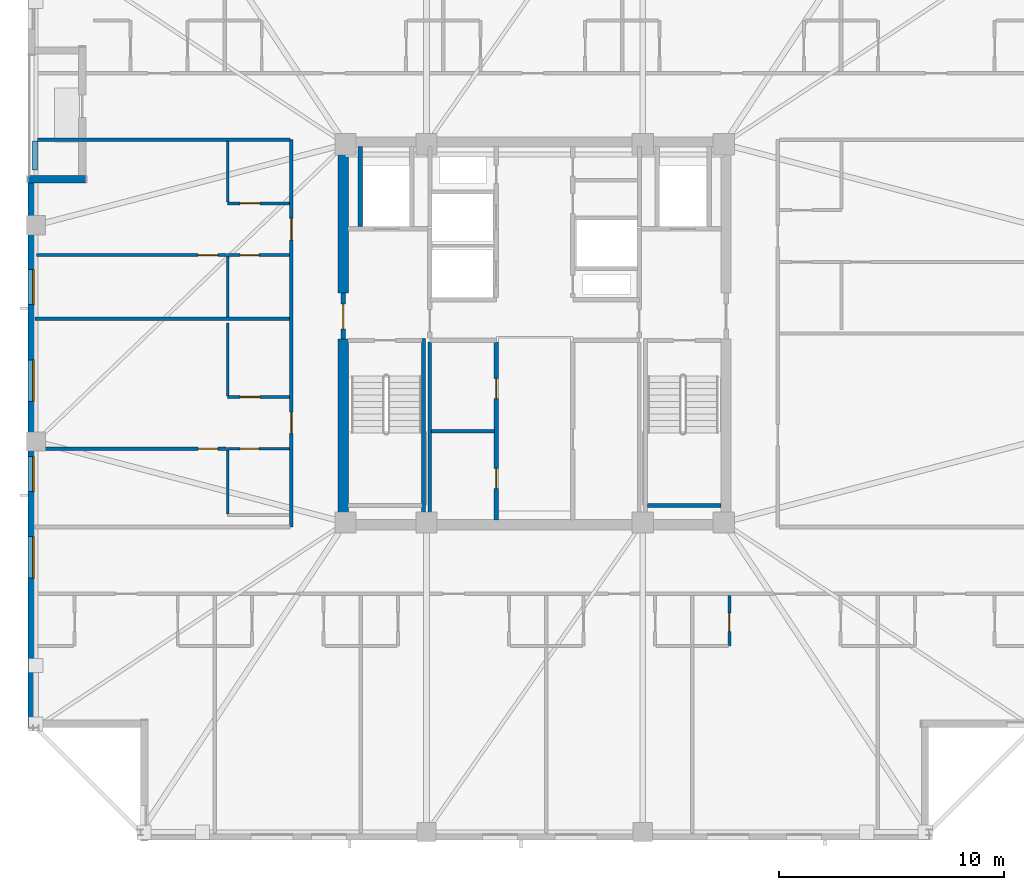
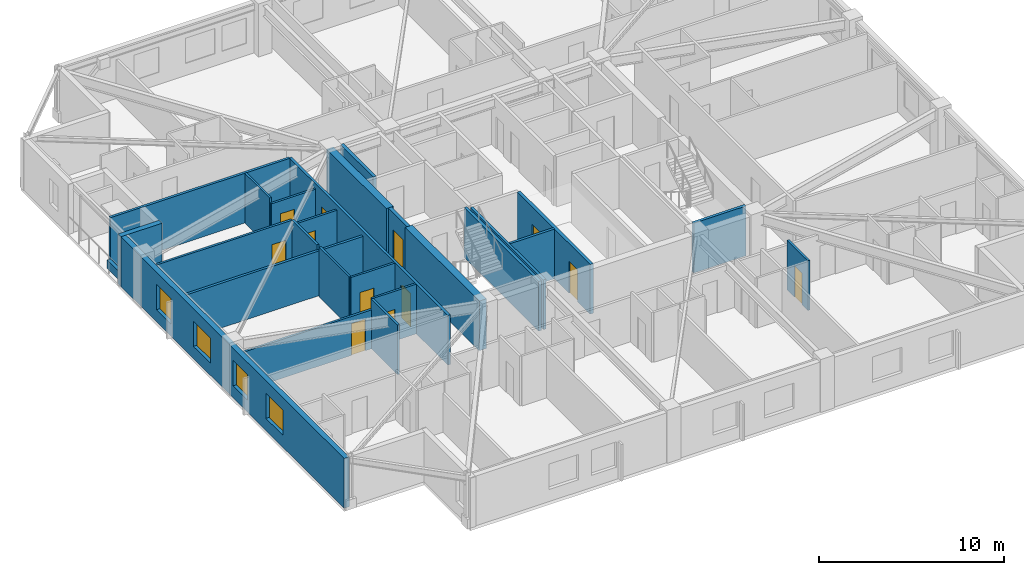
# One storey, part 8 of 17: 26 walls, 12 doors, 4 windows, 16 openings.
"""IFC4 building model written with IfcOpenShell, lengths in metres."""

from ifc_helpers import new_model, si_unit, direction, frame, frame_2d, origin, place, context, subcontext, project, spatial, rectangle, extrude, material, layer, layer_set, type_object, element, fill, save


model = new_model("IFC4")

# Units and contexts
model_context = context("Model", 3, precision=1e-05, world=origin(), true_north=direction((0.0, 1.0)))
body_context = subcontext(model_context, "Body", "Model", "MODEL_VIEW")
ifc_project = project(units=[si_unit("LENGTHUNIT", "METRE"), si_unit("AREAUNIT", "SQUARE_METRE"), si_unit("VOLUMEUNIT", "CUBIC_METRE"), si_unit("PLANEANGLEUNIT", "RADIAN"), si_unit("MASSUNIT", "GRAM", prefix="KILO")], contexts=[model_context])

# Site, building, storey
site_placement = place(None, origin())
site = spatial("IfcSite", under=ifc_project, at=site_placement, CompositionType="ELEMENT")
building_placement = place(site_placement, origin())
building = spatial("IfcBuilding", under=site, at=building_placement, Name="Cairnveth Concourse Tower", CompositionType="ELEMENT")
storey_placement = place(building_placement, frame((0.0, 0.0, 234.0)))
storey = spatial("IfcBuildingStorey", under=building, at=storey_placement, Name="L64", CompositionType="ELEMENT", Elevation=234.0)

# Walls
ifc_material_1 = material(Name="Gypsum Plasterboard Partition", Category="gypsum")
ifc_layer_1 = layer(ifc_material_1, 0.159912109375)
ifc_layer_set_1 = layer_set([ifc_layer_1], Name="Gypsum Plasterboard Partition")
wall_type_1 = type_object("IfcWallType", Name="ACOUSTIC PARTY WALL 180", PredefinedType="PARTITIONING", material=ifc_layer_set_1)
wall_1_placement = place(storey_placement, frame((47.35009765625, 30.7099609375, 0.0), z_axis=(0.0, 0.0, 1.0), x_axis=(0.0, 1.0, 0.0)))
element("IfcWall", 1, at=wall_1_placement, inside=storey, type_object=wall_type_1, Name="Interior Wall IW-L64-025", PredefinedType="PARTITIONING", context=body_context, shape_type="SweptSolid", body=[
    extrude(rectangle(XDim=7.905029296875, YDim=0.159912109375, at=frame_2d((3.95263671875, 0.0))), origin(), (0.0, 0.0, 1.0), 3.2900390625),
])
wall_2_placement = place(storey_placement, frame((47.4150390625, 34.64990234375, 0.0), z_axis=(0.0, 0.0, 1.0), x_axis=(1.0, 0.0, 0.0)))
element("IfcWall", 2, at=wall_2_placement, inside=storey, type_object=wall_type_1, Name="Interior Wall IW-L64-026", PredefinedType="PARTITIONING", context=body_context, shape_type="SweptSolid", body=[
    extrude(rectangle(XDim=2.800048828125, YDim=0.159912109375, at=frame_2d((1.39990234375, 0.0))), origin(), (0.0, 0.0, 1.0), 3.2900390625),
])

# Wall, openings, doors
wall_3_placement = place(storey_placement, frame((41.199951171875, 30.39990234375, 0.0), z_axis=(0.0, 0.0, 1.0), x_axis=(0.0, 1.0, 0.0)))
wall_3 = element("IfcWall", 3, at=wall_3_placement, inside=storey, type_object=wall_type_1, Name="Interior Wall IW-L64-037", PredefinedType="PARTITIONING", context=body_context, shape_type="SweptSolid", body=[
    extrude(rectangle(XDim=17.2001953125, YDim=0.159912109375, at=frame_2d((8.60009765625, 0.0))), origin(), (0.0, 0.0, 1.0), 3.2900390625),
])
opening_1_placement = place(wall_3_placement, frame((4.14501953125, 0.0, 0.0)))
opening_1 = element("IfcOpeningElement", 4, at=opening_1_placement, cuts=wall_3, Name="Opening ID10", PredefinedType="OPENING", context=body_context, shape_type="SweptSolid", body=[
    extrude(rectangle(XDim=0.9599609375, YDim=2.179931640625, at=frame_2d((0.47998046875, 1.08984375))), frame((0.0, 0.08984375, 0.0), z_axis=(0.0, -1.0, 0.0), x_axis=(1.0, 0.0, 0.0)), (0.0, 0.0, 1.0), 0.179931640625),
])
opening_2_placement = place(wall_3_placement, frame((12.7451171875, 0.0, 0.0)))
opening_2 = element("IfcOpeningElement", 5, at=opening_2_placement, cuts=wall_3, Name="Opening ID10", PredefinedType="OPENING", context=body_context, shape_type="SweptSolid", body=[
    extrude(rectangle(XDim=0.9599609375, YDim=2.179931640625, at=frame_2d((0.47998046875, 1.08984375))), frame((0.0, 0.08984375, 0.0), z_axis=(0.0, -1.0, 0.0), x_axis=(1.0, 0.0, 0.0)), (0.0, 0.0, 1.0), 0.179931640625),
])
ifc_material_2 = material(Name="Solid Core Hardwood Timber Leaf", Category="wood")
door_type_1 = type_object("IfcDoorType", Name="FLAT ENTRANCE DOOR 960X2150", OperationType="NOTDEFINED", PredefinedType="DOOR", material=ifc_material_2)
door_1_placement = place(opening_1_placement, origin())
door_1 = element("IfcDoor", 6, at=door_1_placement, inside=storey, type_object=door_type_1, Name="Apartment L64W1 Entrance Door", OperationType="SINGLE_SWING_RIGHT", OverallHeight=2.179931640625, OverallWidth=0.9599609375, PredefinedType="DOOR", context=body_context, shape_type="SweptSolid", body=[
    extrude(rectangle(XDim=0.9599609375, YDim=2.179931640625, at=frame_2d((0.47998046875, 1.08984375))), frame((0.0, 0.02490234375, 0.0), z_axis=(0.0, -1.0, 0.0), x_axis=(1.0, 0.0, 0.0)), (0.0, 0.0, 1.0), 0.050048828125),
])
fill(opening_1, door_1)
door_2_placement = place(opening_2_placement, origin())
door_2 = element("IfcDoor", 7, at=door_2_placement, inside=storey, type_object=door_type_1, Name="Apartment L64W2 Entrance Door", OperationType="SINGLE_SWING_RIGHT", OverallHeight=2.179931640625, OverallWidth=0.9599609375, PredefinedType="DOOR", context=body_context, shape_type="SweptSolid", body=[
    extrude(rectangle(XDim=0.9599609375, YDim=2.179931640625, at=frame_2d((0.47998046875, 1.08984375))), frame((0.0, 0.02490234375, 0.0), z_axis=(0.0, -1.0, 0.0), x_axis=(1.0, 0.0, 0.0)), (0.0, 0.0, 1.0), 0.050048828125),
])
fill(opening_2, door_2)

# Walls
wall_4_placement = place(storey_placement, frame((29.9150390625, 47.60009765625, 0.0), z_axis=(0.0, 0.0, 1.0), x_axis=(1.0, 0.0, 0.0)))
element("IfcWall", 8, at=wall_4_placement, inside=storey, type_object=wall_type_1, Name="Interior Wall IW-L64-040", PredefinedType="PARTITIONING", context=body_context, shape_type="SweptSolid", body=[
    extrude(rectangle(XDim=11.219970703125, YDim=0.159912109375, at=frame_2d((5.60986328125, 0.0))), origin(), (0.0, 0.0, 1.0), 3.2900390625),
])
wall_5_placement = place(storey_placement, frame((29.804931640625, 39.64990234375, 0.0), z_axis=(0.0, 0.0, 1.0), x_axis=(1.0, 0.0, 0.0)))
element("IfcWall", 9, at=wall_5_placement, inside=storey, type_object=wall_type_1, Name="Interior Wall IW-L64-096", PredefinedType="PARTITIONING", context=body_context, shape_type="SweptSolid", body=[
    extrude(rectangle(XDim=11.315185546875, YDim=0.159912109375, at=frame_2d((5.65771484375, 0.0))), origin(), (0.0, 0.0, 1.0), 2.9580078125),
])
ifc_material_3 = material(Name="Concrete N65 (65 MPa)", Category="concrete")
ifc_layer_2 = layer(ifc_material_3, 0.449951171875)
ifc_layer_set_2 = layer_set([ifc_layer_2], Name="Concrete N65 (65 MPa)")
wall_type_2 = type_object("IfcWallType", Name="CORE SHEAR WALL 450", PredefinedType="SHEAR", material=ifc_layer_set_2)
wall_6_placement = place(storey_placement, frame((43.5, 30.715087890625, 0.0), z_axis=(0.0, 0.0, 1.0), x_axis=(0.0, 1.0, 0.0)))
element("IfcWall", 10, at=wall_6_placement, inside=storey, type_object=wall_type_2, Name="Core West Shear Wall S L64", PredefinedType="SHEAR", context=body_context, shape_type="SweptSolid", body=[
    extrude(rectangle(XDim=8.034912109375, YDim=0.449951171875, at=frame_2d((4.017578125, 0.0))), origin(), (0.0, 0.0, 1.0), 3.2900390625),
])
wall_7_placement = place(storey_placement, frame((43.5, 40.800048828125, 0.0), z_axis=(0.0, 0.0, 1.0), x_axis=(0.0, 1.0, 0.0)))
element("IfcWall", 11, at=wall_7_placement, inside=storey, type_object=wall_type_2, Name="Core West Shear Wall N L64", PredefinedType="SHEAR", context=body_context, shape_type="SweptSolid", body=[
    extrude(rectangle(XDim=6.48486328125, YDim=0.449951171875, at=frame_2d((3.242431640625, 0.0))), origin(), (0.0, 0.0, 1.0), 3.2900390625),
])
ifc_material_4 = material(Name="Concrete N50 (50 MPa)", Category="concrete")
ifc_layer_3 = layer(ifc_material_4, 0.179931640625)
ifc_layer_set_3 = layer_set([ifc_layer_3], Name="Concrete N50 (50 MPa)")
wall_type_3 = type_object("IfcWallType", Name="FIRE SHAFT WALL 180", PredefinedType="SOLIDWALL", material=ifc_layer_set_3)
wall_8_placement = place(storey_placement, frame((47.070068359375, 38.780029296875, 0.0), z_axis=(0.0, 0.0, 1.0), x_axis=(0.0, -1.0, 0.0)))
element("IfcWall", 12, at=wall_8_placement, inside=storey, type_object=wall_type_3, Name="Stair ST-1 Shaft Wall RGHT L64", PredefinedType="SOLIDWALL", context=body_context, shape_type="SweptSolid", body=[
    extrude(rectangle(XDim=8.067138671875, YDim=0.179931640625, at=frame_2d((4.03369140625, 0.0))), origin(), (0.0, 0.0, 1.0), 3.2900390625),
])
wall_9_placement = place(storey_placement, frame((57.0048828125, 31.360107421875, 0.0), z_axis=(0.0, 0.0, 1.0), x_axis=(1.0, 0.0, 0.0)))
element("IfcWall", 13, at=wall_9_placement, inside=storey, type_object=wall_type_3, Name="Stair ST-2 Shaft Wall FAR L64", PredefinedType="SOLIDWALL", context=body_context, shape_type="SweptSolid", body=[
    extrude(rectangle(XDim=3.280029296875, YDim=0.179931640625, at=frame_2d((1.64013671875, 0.0))), origin(), (0.0, 0.0, 1.0), 3.2900390625),
])

# Wall, openings, doors
ifc_layer_4 = layer(ifc_material_4, 0.199951171875)
ifc_layer_set_4 = layer_set([ifc_layer_4], Name="Concrete N50 (50 MPa)")
wall_type_4 = type_object("IfcWallType", Name="FIRE SHAFT WALL 200", PredefinedType="SOLIDWALL", material=ifc_layer_set_4)
wall_10_placement = place(storey_placement, frame((50.300048828125, 30.7099609375, 0.0), z_axis=(0.0, 0.0, 1.0), x_axis=(0.0, 1.0, 0.0)))
wall_10 = element("IfcWall", 14, at=wall_10_placement, inside=storey, type_object=wall_type_4, Name="Interior Wall IW-L64-011", PredefinedType="SOLIDWALL", context=body_context, shape_type="SweptSolid", body=[
    extrude(rectangle(XDim=7.905029296875, YDim=0.199951171875, at=frame_2d((3.95263671875, 0.0))), origin(), (0.0, 0.0, 1.0), 3.2900390625),
])
opening_3_placement = place(wall_10_placement, frame((1.389892578125, 0.0, 0.0)))
opening_3 = element("IfcOpeningElement", 15, at=opening_3_placement, cuts=wall_10, Name="Opening ID26", PredefinedType="OPENING", context=body_context, shape_type="SweptSolid", body=[
    extrude(rectangle(XDim=0.89990234375, YDim=2.1201171875, at=frame_2d((0.449951171875, 1.06005859375))), frame((0.0, 0.10986328125, 0.0), z_axis=(0.0, -1.0, 0.0), x_axis=(1.0, 0.0, 0.0)), (0.0, 0.0, 1.0), 0.219970703125),
])
opening_4_placement = place(wall_10_placement, frame((5.389892578125, 0.0, 0.0)))
opening_4 = element("IfcOpeningElement", 16, at=opening_4_placement, cuts=wall_10, Name="Opening ID26", PredefinedType="OPENING", context=body_context, shape_type="SweptSolid", body=[
    extrude(rectangle(XDim=0.89990234375, YDim=2.1201171875, at=frame_2d((0.449951171875, 1.06005859375))), frame((0.0, 0.10986328125, 0.0), z_axis=(0.0, -1.0, 0.0), x_axis=(1.0, 0.0, 0.0)), (0.0, 0.0, 1.0), 0.219970703125),
])
ifc_material_5 = material(Name="Steel Grade 350", Category="steel")
door_type_2 = type_object("IfcDoorType", Name="CORE TOILET FIRE DOOR 900X2120", OperationType="NOTDEFINED", PredefinedType="DOOR", material=ifc_material_5)
door_3_placement = place(opening_3_placement, origin())
door_3 = element("IfcDoor", 17, at=door_3_placement, inside=storey, type_object=door_type_2, Name="Male WC Door L64", OperationType="SINGLE_SWING_LEFT", OverallHeight=2.1201171875, OverallWidth=0.89990234375, PredefinedType="DOOR", context=body_context, shape_type="SweptSolid", body=[
    extrude(rectangle(XDim=0.89990234375, YDim=2.1201171875, at=frame_2d((0.449951171875, 1.06005859375))), frame((0.0, 0.02490234375, 0.0), z_axis=(0.0, -1.0, 0.0), x_axis=(1.0, 0.0, 0.0)), (0.0, 0.0, 1.0), 0.050048828125),
])
fill(opening_3, door_3)
door_4_placement = place(opening_4_placement, origin())
door_4 = element("IfcDoor", 18, at=door_4_placement, inside=storey, type_object=door_type_2, Name="Female WC Door L64", OperationType="SINGLE_SWING_RIGHT", OverallHeight=2.1201171875, OverallWidth=0.89990234375, PredefinedType="DOOR", context=body_context, shape_type="SweptSolid", body=[
    extrude(rectangle(XDim=0.89990234375, YDim=2.1201171875, at=frame_2d((0.449951171875, 1.06005859375))), frame((0.0, 0.02490234375, 0.0), z_axis=(0.0, -1.0, 0.0), x_axis=(1.0, 0.0, 0.0)), (0.0, 0.0, 1.0), 0.050048828125),
])
fill(opening_4, door_4)

# Wall, opening, door
wall_11_placement = place(storey_placement, frame((43.5, 38.75, 0.0), z_axis=(0.0, 0.0, 1.0), x_axis=(0.0, 1.0, 0.0)))
wall_11 = element("IfcWall", 19, at=wall_11_placement, inside=storey, type_object=wall_type_4, Name="Interior Wall IW-L64-015", PredefinedType="SOLIDWALL", context=body_context, shape_type="SweptSolid", body=[
    extrude(rectangle(XDim=2.050048828125, YDim=0.199951171875, at=frame_2d((1.02490234375, 0.0))), origin(), (0.0, 0.0, 1.0), 3.2900390625),
])
opening_5_placement = place(wall_11_placement, frame((0.449951171875, 0.0, 0.0)))
opening_5 = element("IfcOpeningElement", 20, at=opening_5_placement, cuts=wall_11, Name="Opening ID06", PredefinedType="OPENING", context=body_context, shape_type="SweptSolid", body=[
    extrude(rectangle(XDim=1.10009765625, YDim=2.14990234375, at=frame_2d((0.550048828125, 1.074951171875))), frame((0.0, 0.10986328125, 0.0), z_axis=(0.0, -1.0, 0.0), x_axis=(1.0, 0.0, 0.0)), (0.0, 0.0, 1.0), 0.219970703125),
])
door_type_3 = type_object("IfcDoorType", Name="FIRE CORRIDOR DOOR 1100X2150", OperationType="NOTDEFINED", PredefinedType="DOOR", material=ifc_material_5)
door_5_placement = place(opening_5_placement, origin())
door_5 = element("IfcDoor", 21, at=door_5_placement, inside=storey, type_object=door_type_3, Name="West Wing to FF Lobby Door L64", OperationType="SINGLE_SWING_LEFT", OverallHeight=2.14990234375, OverallWidth=1.10009765625, PredefinedType="DOOR", context=body_context, shape_type="SweptSolid", body=[
    extrude(rectangle(XDim=1.10009765625, YDim=2.14990234375, at=frame_2d((0.550048828125, 1.074951171875))), frame((0.0, 0.02490234375, 0.0), z_axis=(0.0, -1.0, 0.0), x_axis=(1.0, 0.0, 0.0)), (0.0, 0.0, 1.0), 0.050048828125),
])
fill(opening_5, door_5)

# Wall
wall_12_placement = place(storey_placement, frame((44.25, 43.735107421875, 0.0), z_axis=(0.0, 0.0, 1.0), x_axis=(0.0, 1.0, 0.0)))
element("IfcWall", 22, at=wall_12_placement, inside=storey, type_object=wall_type_4, Name="Interior Wall IW-L64-019", PredefinedType="SOLIDWALL", context=body_context, shape_type="SweptSolid", body=[
    extrude(rectangle(XDim=3.554931640625, YDim=0.199951171875, at=frame_2d((1.77734375, 0.0))), origin(), (0.0, 0.0, 1.0), 3.2900390625),
])

# Wall, opening, door
ifc_layer_5 = layer(ifc_material_1, 0.139892578125)
ifc_layer_set_5 = layer_set([ifc_layer_5], Name="Gypsum Plasterboard Partition")
wall_type_5 = type_object("IfcWallType", Name="GYPSUM STUD PARTITION 140", PredefinedType="PARTITIONING", material=ifc_layer_set_5)
wall_13_placement = place(storey_placement, frame((29.8798828125, 33.875, 0.0), z_axis=(0.0, 0.0, 1.0), x_axis=(1.0, 0.0, 0.0)))
wall_13 = element("IfcWall", 23, at=wall_13_placement, inside=storey, type_object=wall_type_5, Name="Interior Wall IW-L64-102", PredefinedType="PARTITIONING", context=body_context, shape_type="SweptSolid", body=[
    extrude(rectangle(XDim=8.440185546875, YDim=0.139892578125, at=frame_2d((4.22021484375, 0.0))), origin(), (0.0, 0.0, 1.0), 2.572998046875),
])
opening_6_placement = place(wall_13_placement, frame((7.179931640625, 0.0, 0.0)))
opening_6 = element("IfcOpeningElement", 24, at=opening_6_placement, cuts=wall_13, Name="Opening ID18", PredefinedType="OPENING", context=body_context, shape_type="SweptSolid", body=[
    extrude(rectangle(XDim=0.8798828125, YDim=2.10009765625, at=frame_2d((0.43994140625, 1.050048828125))), frame((0.0, 0.079833984375, 0.0), z_axis=(0.0, -1.0, 0.0), x_axis=(1.0, 0.0, 0.0)), (0.0, 0.0, 1.0), 0.159912109375),
])
door_type_4 = type_object("IfcDoorType", Name="INTERIOR SINGLE DOOR 880X2100", OperationType="NOTDEFINED", PredefinedType="DOOR", material=ifc_material_2)
door_6_placement = place(opening_6_placement, origin())
door_6 = element("IfcDoor", 25, at=door_6_placement, inside=storey, type_object=door_type_4, Name="L64W1 Master Bedroom Door", OperationType="SINGLE_SWING_LEFT", OverallHeight=2.10009765625, OverallWidth=0.8798828125, PredefinedType="DOOR", context=body_context, shape_type="SweptSolid", body=[
    extrude(rectangle(XDim=0.8798828125, YDim=2.10009765625, at=frame_2d((0.43994140625, 1.050048828125))), frame((0.0, 0.02490234375, 0.0), z_axis=(0.0, -1.0, 0.0), x_axis=(1.0, 0.0, 0.0)), (0.0, 0.0, 1.0), 0.050048828125),
])
fill(opening_6, door_6)

wall_14_placement = place(storey_placement, frame((29.8798828125, 42.47509765625, 0.0), z_axis=(0.0, 0.0, 1.0), x_axis=(1.0, 0.0, 0.0)))
wall_14 = element("IfcWall", 26, at=wall_14_placement, inside=storey, type_object=wall_type_5, Name="Interior Wall IW-L64-107", PredefinedType="PARTITIONING", context=body_context, shape_type="SweptSolid", body=[
    extrude(rectangle(XDim=8.440185546875, YDim=0.139892578125, at=frame_2d((4.22021484375, 0.0))), origin(), (0.0, 0.0, 1.0), 3.2900390625),
])
opening_7_placement = place(wall_14_placement, frame((7.179931640625, 0.0, 0.0)))
opening_7 = element("IfcOpeningElement", 27, at=opening_7_placement, cuts=wall_14, Name="Opening ID18", PredefinedType="OPENING", context=body_context, shape_type="SweptSolid", body=[
    extrude(rectangle(XDim=0.8798828125, YDim=2.10009765625, at=frame_2d((0.43994140625, 1.050048828125))), frame((0.0, 0.079833984375, 0.0), z_axis=(0.0, -1.0, 0.0), x_axis=(1.0, 0.0, 0.0)), (0.0, 0.0, 1.0), 0.159912109375),
])
door_7_placement = place(opening_7_placement, origin())
door_7 = element("IfcDoor", 28, at=door_7_placement, inside=storey, type_object=door_type_4, Name="L64W2 Master Bedroom Door", OperationType="SINGLE_SWING_LEFT", OverallHeight=2.10009765625, OverallWidth=0.8798828125, PredefinedType="DOOR", context=body_context, shape_type="SweptSolid", body=[
    extrude(rectangle(XDim=0.8798828125, YDim=2.10009765625, at=frame_2d((0.43994140625, 1.050048828125))), frame((0.0, 0.02490234375, 0.0), z_axis=(0.0, -1.0, 0.0), x_axis=(1.0, 0.0, 0.0)), (0.0, 0.0, 1.0), 0.050048828125),
])
fill(opening_7, door_7)

# Wall
ifc_material_6 = material(Name="Dressed Melbourne Bluestone Cladding", Category="masonry")
ifc_layer_6 = layer(ifc_material_6, 0.219970703125)
ifc_layer_set_6 = layer_set([ifc_layer_6], Name="Dressed Melbourne Bluestone Cladding")
wall_type_6 = type_object("IfcWallType", Name="TERRACE PLANTER CURB WALL 220", PredefinedType="PARAPET", material=ifc_layer_set_6)
wall_15_placement = place(storey_placement, frame((29.820068359375, 46.25, 0.0), z_axis=(0.0, 0.0, 1.0), x_axis=(0.0, 1.0, 0.0)))
element("IfcWall", 29, at=wall_15_placement, inside=storey, type_object=wall_type_6, Name="Exterior Wall PLNT-L64-TERR", PredefinedType="PARAPET", context=body_context, shape_type="SweptSolid", body=[
    extrude(rectangle(XDim=1.300048828125, YDim=0.219970703125, at=frame_2d((0.64990234375, 0.0))), origin(), (0.0, 0.0, 1.0), 0.550048828125),
])

# Wall, opening, door
ifc_layer_7 = layer(ifc_material_1, 0.1298828125)
ifc_layer_set_7 = layer_set([ifc_layer_7], Name="Gypsum Plasterboard Partition")
wall_type_7 = type_object("IfcWallType", Name="WET AREA PARTITION 140", PredefinedType="PLUMBINGWALL", material=ifc_layer_set_7)
wall_16_placement = place(storey_placement, frame((60.64990234375, 25.112548828125, 0.0), z_axis=(0.0, 0.0, 1.0), x_axis=(0.0, 1.0, 0.0)))
wall_16 = element("IfcWall", 30, at=wall_16_placement, inside=storey, type_object=wall_type_7, Name="Interior Wall IW-L64-063", PredefinedType="PLUMBINGWALL", context=body_context, shape_type="SweptSolid", body=[
    extrude(rectangle(XDim=2.25, YDim=0.1298828125, at=frame_2d((1.125, 0.0))), origin(), (0.0, 0.0, 1.0), 3.2900390625),
])
opening_8_placement = place(wall_16_placement, frame((0.64990234375, 0.0, 0.0)))
opening_8 = element("IfcOpeningElement", 31, at=opening_8_placement, cuts=wall_16, Name="Opening ID22", PredefinedType="OPENING", context=body_context, shape_type="SweptSolid", body=[
    extrude(rectangle(XDim=0.820068359375, YDim=2.10009765625, at=frame_2d((0.41015625, 1.050048828125))), frame((0.0, 0.074951171875, 0.0), z_axis=(0.0, -1.0, 0.0), x_axis=(1.0, 0.0, 0.0)), (0.0, 0.0, 1.0), 0.14990234375),
])
door_type_5 = type_object("IfcDoorType", Name="INTERIOR WC DOOR 820X2100", OperationType="NOTDEFINED", PredefinedType="DOOR", material=ifc_material_2)
door_8_placement = place(opening_8_placement, origin())
door_8 = element("IfcDoor", 32, at=door_8_placement, inside=storey, type_object=door_type_5, Name="L64STS5 Bathroom Door", OperationType="SINGLE_SWING_RIGHT", OverallHeight=2.10009765625, OverallWidth=0.820068359375, PredefinedType="DOOR", context=body_context, shape_type="SweptSolid", body=[
    extrude(rectangle(XDim=0.820068359375, YDim=2.10009765625, at=frame_2d((0.41015625, 1.050048828125))), frame((0.0, 0.02490234375, 0.0), z_axis=(0.0, -1.0, 0.0), x_axis=(1.0, 0.0, 0.0)), (0.0, 0.0, 1.0), 0.050048828125),
])
fill(opening_8, door_8)

wall_17_placement = place(storey_placement, frame((38.3701171875, 33.875, 0.0), z_axis=(0.0, 0.0, 1.0), x_axis=(1.0, 0.0, 0.0)))
wall_17 = element("IfcWall", 33, at=wall_17_placement, inside=storey, type_object=wall_type_7, Name="Interior Wall IW-L64-098", PredefinedType="PLUMBINGWALL", context=body_context, shape_type="SweptSolid", body=[
    extrude(rectangle(XDim=2.75, YDim=0.1298828125, at=frame_2d((1.375, 0.0))), origin(), (0.0, 0.0, 1.0), 3.2900390625),
])
opening_9_placement = place(wall_17_placement, frame((0.550048828125, 0.0, 0.0)))
opening_9 = element("IfcOpeningElement", 34, at=opening_9_placement, cuts=wall_17, Name="Opening ID21", PredefinedType="OPENING", context=body_context, shape_type="SweptSolid", body=[
    extrude(rectangle(XDim=0.85009765625, YDim=2.080078125, at=frame_2d((0.425048828125, 1.0400390625))), frame((0.0, 0.074951171875, 0.0), z_axis=(0.0, -1.0, 0.0), x_axis=(1.0, 0.0, 0.0)), (0.0, 0.0, 1.0), 0.14990234375),
])
door_type_6 = type_object("IfcDoorType", Name="INTERIOR WC DOOR 850X2100", OperationType="NOTDEFINED", PredefinedType="DOOR", material=ifc_material_2)
door_9_placement = place(opening_9_placement, origin())
door_9 = element("IfcDoor", 35, at=door_9_placement, inside=storey, type_object=door_type_6, Name="L64W1 Bathroom Door", OperationType="SINGLE_SWING_LEFT", OverallHeight=2.080078125, OverallWidth=0.85009765625, PredefinedType="DOOR", context=body_context, shape_type="SweptSolid", body=[
    extrude(rectangle(XDim=0.85009765625, YDim=2.080078125, at=frame_2d((0.425048828125, 1.0400390625))), frame((0.0, 0.02490234375, 0.0), z_axis=(0.0, -1.0, 0.0), x_axis=(1.0, 0.0, 0.0)), (0.0, 0.0, 1.0), 0.050048828125),
])
fill(opening_9, door_9)

# Wall
wall_18_placement = place(storey_placement, frame((38.3701171875, 30.97509765625, 0.0), z_axis=(0.0, 0.0, 1.0), x_axis=(0.0, 1.0, 0.0)))
element("IfcWall", 36, at=wall_18_placement, inside=storey, type_object=wall_type_7, Name="Interior Wall IW-L64-099", PredefinedType="PLUMBINGWALL", context=body_context, shape_type="SweptSolid", body=[
    extrude(rectangle(XDim=2.849853515625, YDim=0.1298828125, at=frame_2d((1.4248046875, 0.0))), origin(), (0.0, 0.0, 1.0), 3.2900390625),
])

# Wall, opening, door
wall_19_placement = place(storey_placement, frame((38.3701171875, 36.175048828125, 0.0), z_axis=(0.0, 0.0, 1.0), x_axis=(1.0, 0.0, 0.0)))
wall_19 = element("IfcWall", 37, at=wall_19_placement, inside=storey, type_object=wall_type_7, Name="Interior Wall IW-L64-100", PredefinedType="PLUMBINGWALL", context=body_context, shape_type="SweptSolid", body=[
    extrude(rectangle(XDim=2.75, YDim=0.1298828125, at=frame_2d((1.375, 0.0))), origin(), (0.0, 0.0, 1.0), 3.2900390625),
])
opening_10_placement = place(wall_19_placement, frame((0.550048828125, 0.0, 0.0)))
opening_10 = element("IfcOpeningElement", 38, at=opening_10_placement, cuts=wall_19, Name="Opening ID18", PredefinedType="OPENING", context=body_context, shape_type="SweptSolid", body=[
    extrude(rectangle(XDim=0.8798828125, YDim=2.10009765625, at=frame_2d((0.43994140625, 1.050048828125))), frame((0.0, 0.074951171875, 0.0), z_axis=(0.0, -1.0, 0.0), x_axis=(1.0, 0.0, 0.0)), (0.0, 0.0, 1.0), 0.14990234375),
])
door_10_placement = place(opening_10_placement, origin())
door_10 = element("IfcDoor", 39, at=door_10_placement, inside=storey, type_object=door_type_4, Name="L64W1 Kitchen Door", OperationType="SINGLE_SWING_RIGHT", OverallHeight=2.10009765625, OverallWidth=0.8798828125, PredefinedType="DOOR", context=body_context, shape_type="SweptSolid", body=[
    extrude(rectangle(XDim=0.8798828125, YDim=2.10009765625, at=frame_2d((0.43994140625, 1.050048828125))), frame((0.0, 0.02490234375, 0.0), z_axis=(0.0, -1.0, 0.0), x_axis=(1.0, 0.0, 0.0)), (0.0, 0.0, 1.0), 0.050048828125),
])
fill(opening_10, door_10)

# Wall
wall_20_placement = place(storey_placement, frame((38.3701171875, 36.22509765625, 0.0), z_axis=(0.0, 0.0, 1.0), x_axis=(0.0, 1.0, 0.0)))
element("IfcWall", 40, at=wall_20_placement, inside=storey, type_object=wall_type_7, Name="Interior Wall IW-L64-101", PredefinedType="PLUMBINGWALL", context=body_context, shape_type="SweptSolid", body=[
    extrude(rectangle(XDim=3.239990234375, YDim=0.1298828125, at=frame_2d((1.6201171875, 0.0))), origin(), (0.0, 0.0, 1.0), 3.2900390625),
])

# Wall, opening, door
wall_21_placement = place(storey_placement, frame((38.3701171875, 42.47509765625, 0.0), z_axis=(0.0, 0.0, 1.0), x_axis=(1.0, 0.0, 0.0)))
wall_21 = element("IfcWall", 41, at=wall_21_placement, inside=storey, type_object=wall_type_7, Name="Interior Wall IW-L64-103", PredefinedType="PLUMBINGWALL", context=body_context, shape_type="SweptSolid", body=[
    extrude(rectangle(XDim=2.75, YDim=0.1298828125, at=frame_2d((1.375, 0.0))), origin(), (0.0, 0.0, 1.0), 2.9580078125),
])
opening_11_placement = place(wall_21_placement, frame((0.550048828125, 0.0, 0.0)))
opening_11 = element("IfcOpeningElement", 42, at=opening_11_placement, cuts=wall_21, Name="Opening ID21", PredefinedType="OPENING", context=body_context, shape_type="SweptSolid", body=[
    extrude(rectangle(XDim=0.85009765625, YDim=2.080078125, at=frame_2d((0.425048828125, 1.0400390625))), frame((0.0, 0.074951171875, 0.0), z_axis=(0.0, -1.0, 0.0), x_axis=(1.0, 0.0, 0.0)), (0.0, 0.0, 1.0), 0.14990234375),
])
door_11_placement = place(opening_11_placement, origin())
door_11 = element("IfcDoor", 43, at=door_11_placement, inside=storey, type_object=door_type_6, Name="L64W2 Bathroom Door", OperationType="SINGLE_SWING_LEFT", OverallHeight=2.080078125, OverallWidth=0.85009765625, PredefinedType="DOOR", context=body_context, shape_type="SweptSolid", body=[
    extrude(rectangle(XDim=0.85009765625, YDim=2.080078125, at=frame_2d((0.425048828125, 1.0400390625))), frame((0.0, 0.02490234375, 0.0), z_axis=(0.0, -1.0, 0.0), x_axis=(1.0, 0.0, 0.0)), (0.0, 0.0, 1.0), 0.050048828125),
])
fill(opening_11, door_11)

# Wall
wall_22_placement = place(storey_placement, frame((38.3701171875, 39.715087890625, 0.0), z_axis=(0.0, 0.0, 1.0), x_axis=(0.0, 1.0, 0.0)))
element("IfcWall", 44, at=wall_22_placement, inside=storey, type_object=wall_type_7, Name="Interior Wall IW-L64-104", PredefinedType="PLUMBINGWALL", context=body_context, shape_type="SweptSolid", body=[
    extrude(rectangle(XDim=2.7099609375, YDim=0.1298828125, at=frame_2d((1.35498046875, 0.0))), origin(), (0.0, 0.0, 1.0), 3.2900390625),
])

# Wall, opening, door
wall_23_placement = place(storey_placement, frame((38.3701171875, 44.77490234375, 0.0), z_axis=(0.0, 0.0, 1.0), x_axis=(1.0, 0.0, 0.0)))
wall_23 = element("IfcWall", 45, at=wall_23_placement, inside=storey, type_object=wall_type_7, Name="Interior Wall IW-L64-105", PredefinedType="PLUMBINGWALL", context=body_context, shape_type="SweptSolid", body=[
    extrude(rectangle(XDim=2.75, YDim=0.1298828125, at=frame_2d((1.375, 0.0))), origin(), (0.0, 0.0, 1.0), 2.9580078125),
])
opening_12_placement = place(wall_23_placement, frame((0.550048828125, 0.0, 0.0)))
opening_12 = element("IfcOpeningElement", 46, at=opening_12_placement, cuts=wall_23, Name="Opening ID18", PredefinedType="OPENING", context=body_context, shape_type="SweptSolid", body=[
    extrude(rectangle(XDim=0.8798828125, YDim=2.10009765625, at=frame_2d((0.43994140625, 1.050048828125))), frame((0.0, 0.074951171875, 0.0), z_axis=(0.0, -1.0, 0.0), x_axis=(1.0, 0.0, 0.0)), (0.0, 0.0, 1.0), 0.14990234375),
])
door_12_placement = place(opening_12_placement, origin())
door_12 = element("IfcDoor", 47, at=door_12_placement, inside=storey, type_object=door_type_4, Name="L64W2 Kitchen Door", OperationType="SINGLE_SWING_RIGHT", OverallHeight=2.10009765625, OverallWidth=0.8798828125, PredefinedType="DOOR", context=body_context, shape_type="SweptSolid", body=[
    extrude(rectangle(XDim=0.8798828125, YDim=2.10009765625, at=frame_2d((0.43994140625, 1.050048828125))), frame((0.0, 0.02490234375, 0.0), z_axis=(0.0, -1.0, 0.0), x_axis=(1.0, 0.0, 0.0)), (0.0, 0.0, 1.0), 0.050048828125),
])
fill(opening_12, door_12)

# Wall
wall_24_placement = place(storey_placement, frame((38.3701171875, 44.824951171875, 0.0), z_axis=(0.0, 0.0, 1.0), x_axis=(0.0, 1.0, 0.0)))
element("IfcWall", 48, at=wall_24_placement, inside=storey, type_object=wall_type_7, Name="Interior Wall IW-L64-106", PredefinedType="PLUMBINGWALL", context=body_context, shape_type="SweptSolid", body=[
    extrude(rectangle(XDim=2.7099609375, YDim=0.1298828125, at=frame_2d((1.35498046875, 0.0))), origin(), (0.0, 0.0, 1.0), 3.2900390625),
])

# Wall, openings, windows
ifc_material_7 = material(Name="Melbourne Buff Fired Clay Brick Masonry", Category="masonry")
ifc_layer_8 = layer(ifc_material_7, 0.320068359375)
ifc_layer_set_8 = layer_set([ifc_layer_8], Name="Melbourne Buff Fired Clay Brick Masonry")
wall_type_8 = type_object("IfcWallType", Name="ZONE 3 BRICK PIER SPANDREL WALL 320", PredefinedType="SOLIDWALL", material=ifc_layer_set_8)
wall_25_placement = place(storey_placement, frame((29.659912109375, 21.5, 0.0), z_axis=(0.0, 0.0, 1.0), x_axis=(0.0, 1.0, 0.0)))
wall_25 = element("IfcWall", 49, at=wall_25_placement, inside=storey, type_object=wall_type_8, Name="Exterior Wall EW-L64-S12", PredefinedType="SOLIDWALL", context=body_context, shape_type="SweptSolid", body=[
    extrude(rectangle(XDim=24.201904296875, YDim=0.320068359375, at=frame_2d((12.10107421875, 0.0))), origin(), (0.0, 0.0, 1.0), 3.2900390625),
])
opening_13_placement = place(wall_25_placement, frame((6.62548828125, 0.0, 0.800048828125)))
opening_13 = element("IfcOpeningElement", 50, at=opening_13_placement, cuts=wall_25, Name="Opening W08", PredefinedType="OPENING", context=body_context, shape_type="SweptSolid", body=[
    extrude(rectangle(XDim=1.85009765625, YDim=1.677978515625, at=frame_2d((0.925048828125, 0.8388671875))), frame((0.0, 0.169921875, 0.0), z_axis=(0.0, -1.0, 0.0), x_axis=(1.0, 0.0, 0.0)), (0.0, 0.0, 1.0), 0.340087890625),
])
opening_14_placement = place(wall_25_placement, frame((10.47607421875, 0.0, 0.800048828125)))
opening_14 = element("IfcOpeningElement", 51, at=opening_14_placement, cuts=wall_25, Name="Opening W07", PredefinedType="OPENING", context=body_context, shape_type="SweptSolid", body=[
    extrude(rectangle(XDim=1.550048828125, YDim=1.677978515625, at=frame_2d((0.77490234375, 0.8388671875))), frame((0.0, 0.169921875, 0.0), z_axis=(0.0, -1.0, 0.0), x_axis=(1.0, 0.0, 0.0)), (0.0, 0.0, 1.0), 0.340087890625),
])
opening_15_placement = place(wall_25_placement, frame((14.476318359375, 0.0, 0.800048828125)))
opening_15 = element("IfcOpeningElement", 52, at=opening_15_placement, cuts=wall_25, Name="Opening W08", PredefinedType="OPENING", context=body_context, shape_type="SweptSolid", body=[
    extrude(rectangle(XDim=1.85009765625, YDim=1.677978515625, at=frame_2d((0.925048828125, 0.8388671875))), frame((0.0, 0.169921875, 0.0), z_axis=(0.0, -1.0, 0.0), x_axis=(1.0, 0.0, 0.0)), (0.0, 0.0, 1.0), 0.340087890625),
])
opening_16_placement = place(wall_25_placement, frame((18.77685546875, 0.0, 0.800048828125)))
opening_16 = element("IfcOpeningElement", 53, at=opening_16_placement, cuts=wall_25, Name="Opening W07", PredefinedType="OPENING", context=body_context, shape_type="SweptSolid", body=[
    extrude(rectangle(XDim=1.550048828125, YDim=1.677978515625, at=frame_2d((0.77490234375, 0.8388671875))), frame((0.0, 0.169921875, 0.0), z_axis=(0.0, -1.0, 0.0), x_axis=(1.0, 0.0, 0.0)), (0.0, 0.0, 1.0), 0.340087890625),
])
ifc_material_8 = material(Name="Double Glazed Low-E Clear Glass", Category="glass")
window_type_1 = type_object("IfcWindowType", Name="DEEP-SET APARTMENT LIVING WINDOW 1850X1850", PartitioningType="DOUBLE_PANEL_VERTICAL", PredefinedType="WINDOW", material=ifc_material_8)
window_1_placement = place(opening_13_placement, origin())
window_1 = element("IfcWindow", 54, at=window_1_placement, inside=storey, type_object=window_type_1, Name="Gothic Lancet Window L64-12-2", OverallHeight=1.677978515625, OverallWidth=1.85009765625, PartitioningType="SINGLE_PANEL", PredefinedType="WINDOW", context=body_context, shape_type="SweptSolid", body=[
    extrude(rectangle(XDim=1.85009765625, YDim=1.677978515625, at=frame_2d((0.925048828125, 0.8388671875))), frame((0.0, -0.050048828125, 0.0), z_axis=(0.0, -1.0, 0.0), x_axis=(1.0, 0.0, 0.0)), (0.0, 0.0, 1.0), 0.06005859375),
])
fill(opening_13, window_1)
window_2_placement = place(opening_15_placement, origin())
window_2 = element("IfcWindow", 55, at=window_2_placement, inside=storey, type_object=window_type_1, Name="Gothic Lancet Window L64-12-4", OverallHeight=1.677978515625, OverallWidth=1.85009765625, PartitioningType="SINGLE_PANEL", PredefinedType="WINDOW", context=body_context, shape_type="SweptSolid", body=[
    extrude(rectangle(XDim=1.85009765625, YDim=1.677978515625, at=frame_2d((0.925048828125, 0.8388671875))), frame((0.0, -0.050048828125, 0.0), z_axis=(0.0, -1.0, 0.0), x_axis=(1.0, 0.0, 0.0)), (0.0, 0.0, 1.0), 0.06005859375),
])
fill(opening_15, window_2)
window_type_2 = type_object("IfcWindowType", Name="DEEP-SET APARTMENT WINDOW 1550X1800", PartitioningType="DOUBLE_PANEL_VERTICAL", PredefinedType="WINDOW", material=ifc_material_8)
window_3_placement = place(opening_14_placement, origin())
window_3 = element("IfcWindow", 56, at=window_3_placement, inside=storey, type_object=window_type_2, Name="Gothic Lancet Window L64-12-3", OverallHeight=1.677978515625, OverallWidth=1.550048828125, PartitioningType="SINGLE_PANEL", PredefinedType="WINDOW", context=body_context, shape_type="SweptSolid", body=[
    extrude(rectangle(XDim=1.550048828125, YDim=1.677978515625, at=frame_2d((0.77490234375, 0.8388671875))), frame((0.0, -0.050048828125, 0.0), z_axis=(0.0, -1.0, 0.0), x_axis=(1.0, 0.0, 0.0)), (0.0, 0.0, 1.0), 0.06005859375),
])
fill(opening_14, window_3)
window_4_placement = place(opening_16_placement, origin())
window_4 = element("IfcWindow", 57, at=window_4_placement, inside=storey, type_object=window_type_2, Name="Gothic Lancet Window L64-12-5", OverallHeight=1.677978515625, OverallWidth=1.550048828125, PartitioningType="SINGLE_PANEL", PredefinedType="WINDOW", context=body_context, shape_type="SweptSolid", body=[
    extrude(rectangle(XDim=1.550048828125, YDim=1.677978515625, at=frame_2d((0.77490234375, 0.8388671875))), frame((0.0, -0.050048828125, 0.0), z_axis=(0.0, -1.0, 0.0), x_axis=(1.0, 0.0, 0.0)), (0.0, 0.0, 1.0), 0.06005859375),
])
fill(opening_16, window_4)

# Wall
wall_26_placement = place(storey_placement, frame((29.5, 45.840087890625, 0.0), z_axis=(0.0, 0.0, 1.0), x_axis=(1.0, 0.0, 0.0)))
element("IfcWall", 58, at=wall_26_placement, inside=storey, type_object=wall_type_8, Name="Exterior Wall EW-L64-S13", PredefinedType="SOLIDWALL", context=body_context, shape_type="SweptSolid", body=[
    extrude(rectangle(XDim=2.570068359375, YDim=0.320068359375, at=frame_2d((1.28515625, 0.0))), origin(), (0.0, 0.0, 1.0), 3.2900390625),
])

save(model, "model.ifc")
